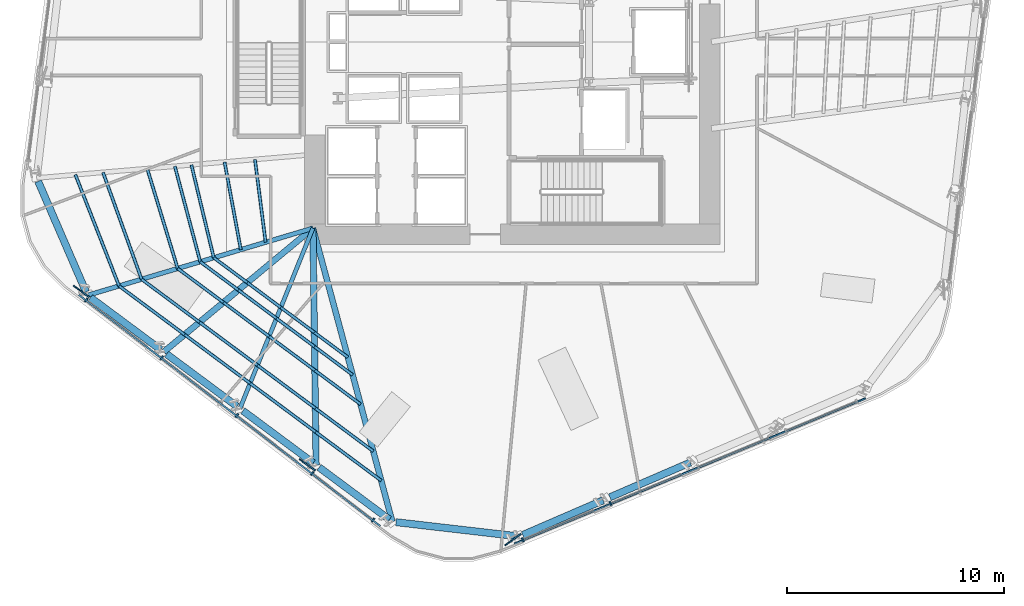
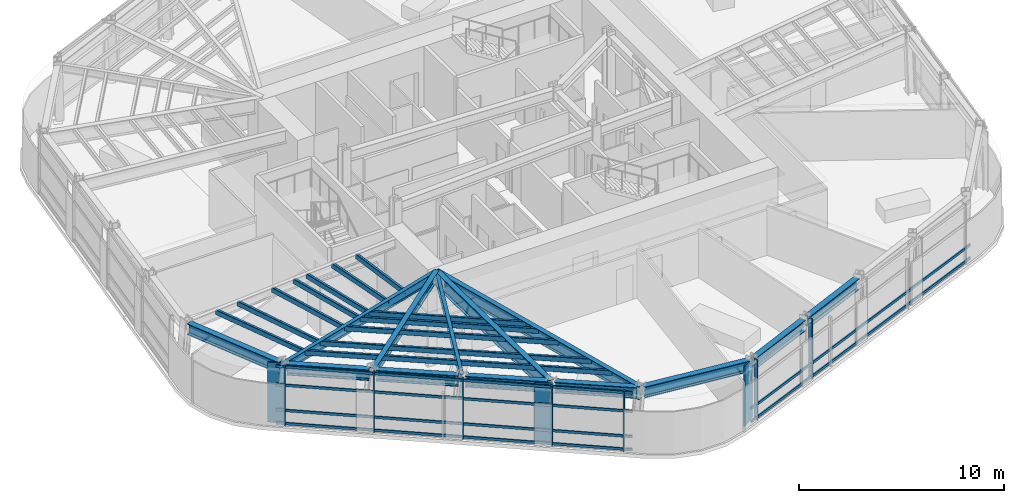
# One storey, part 2 of 18: 43 members, 13 beams, 2 elements without a shape of their own.
"""IFC4 building model written with IfcOpenShell, lengths in metres."""

from ifc_helpers import new_model, si_unit, direction, frame, origin, origin_2d, place, context, subcontext, project, spatial, rectangle, hollow_rectangle, i_section, extrude, material, layer, layer_set, material_profile, profile_set, type_object, element, aggregate, save


model = new_model("IFC4")

# Units and contexts
model_context = context("Model", 3, precision=1e-05, world=origin(), true_north=direction((0.0, 1.0)))
body_context = subcontext(model_context, "Body", "Model", "MODEL_VIEW")
ifc_project = project(units=[si_unit("LENGTHUNIT", "METRE"), si_unit("AREAUNIT", "SQUARE_METRE"), si_unit("VOLUMEUNIT", "CUBIC_METRE"), si_unit("PLANEANGLEUNIT", "RADIAN"), si_unit("MASSUNIT", "GRAM", prefix="KILO")], contexts=[model_context])

# Site, building, storey
site_placement = place(None, origin())
site = spatial("IfcSite", under=ifc_project, at=site_placement, CompositionType="ELEMENT")
building_placement = place(site_placement, origin())
building = spatial("IfcBuilding", under=site, at=building_placement, Name="Valkerne Bourse Tower", CompositionType="ELEMENT")
storey_placement = place(building_placement, frame((0.0, 0.0, 120.0)))
storey = spatial("IfcBuildingStorey", under=building, at=storey_placement, Name="L30", CompositionType="ELEMENT", Elevation=120.0)

# Beams
ifc_material_1 = material(Name="Steel ASTM A992", Category="steel")
ifc_material_profile_1 = material_profile(ifc_material_1, i_section(OverallWidth=0.1904296875, OverallDepth=0.457275390625, WebThickness=0.009033203125, FlangeThickness=0.014404296875, FilletRadius=0.01513671875, at=origin_2d()), Name="W18X50")
ifc_profile_set_1 = profile_set([ifc_material_profile_1], Name="Steel ASTM A992")
beam_type_1 = type_object("IfcBeamType", Name="BM-W18X50", PredefinedType="JOIST", material=ifc_profile_set_1)
beam_1_placement = place(storey_placement, frame((34.22705078125, 10.0703125, 3.351318359375), z_axis=(0.375340590658, 0.926886962366, 0.0), x_axis=(-0.926886962366, 0.375340590658, 0.0)))
element("IfcBeam", 1, at=beam_1_placement, inside=storey, type_object=beam_type_1, Name="L30 Radial Composite Floor Beam 17", PredefinedType="JOIST", context=body_context, shape_type="SweptSolid", body=[
    extrude(i_section(OverallWidth=0.1904296875, OverallDepth=0.457275390625, WebThickness=0.009033203125, FlangeThickness=0.014404296875, FilletRadius=0.01513671875, at=origin_2d()), origin(), (0.0, 0.0, 1.0), 8.986572265625),
])
ifc_material_profile_2 = material_profile(ifc_material_1, i_section(OverallWidth=0.279296875, OverallDepth=0.46240234375, WebThickness=0.0107421875, FlangeThickness=0.017333984375, FilletRadius=0.017822265625, at=origin_2d()), Name="W18X76")
ifc_profile_set_2 = profile_set([ifc_material_profile_2], Name="Steel ASTM A992")
beam_type_2 = type_object("IfcBeamType", Name="BM-W18X76", PredefinedType="BEAM", material=ifc_profile_set_2)
beam_2_placement = place(storey_placement, frame((30.708251953125, 12.68359375, 3.348876953125), z_axis=(0.769696523866, 0.638409947564, 0.0), x_axis=(-0.638409947564, 0.769696523866, 0.0)))
element("IfcBeam", 2, at=beam_2_placement, inside=storey, type_object=beam_type_2, Name="L30 Radial Composite Floor Beam 16", PredefinedType="BEAM", context=body_context, shape_type="SweptSolid", body=[
    extrude(i_section(OverallWidth=0.279296875, OverallDepth=0.46240234375, WebThickness=0.0107421875, FlangeThickness=0.017333984375, FilletRadius=0.017822265625, at=origin_2d()), origin(), (0.0, 0.0, 1.0), 8.953857421875),
])
ifc_material_profile_3 = material_profile(ifc_material_1, i_section(OverallWidth=0.209228515625, OverallDepth=0.533447265625, WebThickness=0.01025390625, FlangeThickness=0.015625, FilletRadius=0.017822265625, at=origin_2d()), Name="W21X62")
ifc_profile_set_3 = profile_set([ifc_material_profile_3], Name="Steel ASTM A992")
beam_type_3 = type_object("IfcBeamType", Name="BM-W21X62", PredefinedType="JOIST", material=ifc_profile_set_3)
beam_3_placement = place(storey_placement, frame((27.189453125, 15.296875, 3.313232421875), z_axis=(0.958335693485, 0.285644356836, 0.0), x_axis=(-0.285644356836, 0.958335693485, 0.0)))
element("IfcBeam", 3, at=beam_3_placement, inside=storey, type_object=beam_type_3, Name="L30 Radial Composite Floor Beam 15", PredefinedType="JOIST", context=body_context, shape_type="SweptSolid", body=[
    extrude(i_section(OverallWidth=0.209228515625, OverallDepth=0.533447265625, WebThickness=0.01025390625, FlangeThickness=0.015625, FilletRadius=0.017822265625, at=origin_2d()), origin(), (0.0, 0.0, 1.0), 10.86328125),
])
ifc_material_profile_4 = material_profile(ifc_material_1, i_section(OverallWidth=0.330078125, OverallDepth=0.647705078125, WebThickness=0.0205078125, FlangeThickness=0.037109375, FilletRadius=0.020263671875, at=origin_2d()), Name="W24X192")
ifc_profile_set_4 = profile_set([ifc_material_profile_4], Name="Steel ASTM A992")
beam_type_4 = type_object("IfcBeamType", Name="BM-W24X192", PredefinedType="SPANDREL", material=ifc_profile_set_4)
beam_4_placement = place(storey_placement, frame((24.912109375, 20.559814453125, 3.256103515625), z_axis=(0.397146895891, -0.917755056147, 0.0), x_axis=(0.917755056147, 0.397146895891, 0.0)))
element("IfcBeam", 4, at=beam_4_placement, inside=storey, type_object=beam_type_4, Name="L30 Hexagonal Spandrel Ring Beam 14", PredefinedType="SPANDREL", context=body_context, shape_type="SweptSolid", body=[
    extrude(i_section(OverallWidth=0.330078125, OverallDepth=0.647705078125, WebThickness=0.0205078125, FlangeThickness=0.037109375, FilletRadius=0.020263671875, at=origin_2d()), origin(), (0.0, 0.0, 1.0), 5.564697265625),
])
for number, where, z_axis, x_axis, name in (
    (5, (27.325927734375, 15.195556640625, 3.256103515625), (0.8028388171, -0.596196136986, 0.0), (0.596196136986, 0.8028388171, 0.0), "L30 Hexagonal Spandrel Ring Beam 15"),
    (6, (30.8447265625, 12.582275390625, 3.256103515625), (0.8028388171, -0.596196136986, 0.0), (0.596196136986, 0.8028388171, 0.0), "L30 Hexagonal Spandrel Ring Beam 16"),
):
    element("IfcBeam", number, at=place(storey_placement, frame(where, z_axis=z_axis, x_axis=x_axis)), inside=storey, type_object=beam_type_4, Name=name, PredefinedType="SPANDREL", context=body_context, shape_type="SweptSolid", body=[
        extrude(i_section(OverallWidth=0.330078125, OverallDepth=0.647705078125, WebThickness=0.0205078125, FlangeThickness=0.037109375, FilletRadius=0.020263671875, at=origin_2d()), origin(), (0.0, 0.0, 1.0), 4.04296875),
    ])
beam_5_placement = place(storey_placement, frame((34.363525390625, 9.968994140625, 3.256103515625), z_axis=(0.80281735116, -0.596225041974, 0.0), x_axis=(0.596225041974, 0.80281735116, 0.0)))
element("IfcBeam", 7, at=beam_5_placement, inside=storey, type_object=beam_type_4, Name="L30 Hexagonal Spandrel Ring Beam 17", PredefinedType="SPANDREL", context=body_context, shape_type="SweptSolid", body=[
    extrude(i_section(OverallWidth=0.330078125, OverallDepth=0.647705078125, WebThickness=0.0205078125, FlangeThickness=0.037109375, FilletRadius=0.020263671875, at=origin_2d()), origin(), (0.0, 0.0, 1.0), 4.042724609375),
])
beam_6_placement = place(storey_placement, frame((37.882080078125, 7.355712890625, 3.256103515625), z_axis=(0.8028388171, -0.596196136986, 0.0), x_axis=(0.596196136986, 0.8028388171, 0.0)))
element("IfcBeam", 8, at=beam_6_placement, inside=storey, type_object=beam_type_4, Name="L30 Hexagonal Spandrel Ring Beam 18", PredefinedType="SPANDREL", context=body_context, shape_type="SweptSolid", body=[
    extrude(i_section(OverallWidth=0.330078125, OverallDepth=0.647705078125, WebThickness=0.0205078125, FlangeThickness=0.037109375, FilletRadius=0.020263671875, at=origin_2d()), origin(), (0.0, 0.0, 1.0), 4.04296875),
])
beam_7_placement = place(storey_placement, frame((41.433349609375, 4.824462890625, 3.256103515625), z_axis=(0.993371027611, -0.114952170502, 0.0), x_axis=(0.114952170502, 0.993371027611, 0.0)))
element("IfcBeam", 9, at=beam_7_placement, inside=storey, type_object=beam_type_4, Name="L30 Hexagonal Spandrel Ring Beam 19", PredefinedType="SPANDREL", context=body_context, shape_type="SweptSolid", body=[
    extrude(i_section(OverallWidth=0.330078125, OverallDepth=0.647705078125, WebThickness=0.0205078125, FlangeThickness=0.037109375, FilletRadius=0.020263671875, at=origin_2d()), origin(), (0.0, 0.0, 1.0), 5.564453125),
])
for number, where, z_axis, x_axis, name in (
    (10, (47.285888671875, 4.23291015625, 3.256103515625), (0.917771394218, 0.397109138595, 0.0), (-0.397109138595, 0.917771394218, 0.0), "L30 Hexagonal Spandrel Ring Beam 20"),
    (11, (51.308349609375, 5.973388671875, 3.256103515625), (0.917749384733, 0.397160001539, 0.0), (-0.397160001539, 0.917749384733, 0.0), "L30 Hexagonal Spandrel Ring Beam 21"),
):
    element("IfcBeam", number, at=place(storey_placement, frame(where, z_axis=z_axis, x_axis=x_axis)), inside=storey, type_object=beam_type_4, Name=name, PredefinedType="SPANDREL", context=body_context, shape_type="SweptSolid", body=[
        extrude(i_section(OverallWidth=0.330078125, OverallDepth=0.647705078125, WebThickness=0.0205078125, FlangeThickness=0.037109375, FilletRadius=0.020263671875, at=origin_2d()), origin(), (0.0, 0.0, 1.0), 4.04296875),
    ])
ifc_material_profile_5 = material_profile(ifc_material_1, i_section(OverallWidth=0.26806640625, OverallDepth=0.76953125, WebThickness=0.015625, FlangeThickness=0.025390625, FilletRadius=0.025390625, at=origin_2d()), Name="W30X132")
ifc_profile_set_5 = profile_set([ifc_material_profile_5], Name="Steel ASTM A992")
beam_type_5 = type_object("IfcBeamType", Name="BM-W30X132", PredefinedType="BEAM", material=ifc_profile_set_5)
beam_8_placement = place(storey_placement, frame((41.264404296875, 4.843994140625, 3.1953125), z_axis=(-0.260945370894, 0.965353569118, 0.0), x_axis=(-0.965353569118, -0.260945370894, 0.0)))
element("IfcBeam", 12, at=beam_8_placement, inside=storey, type_object=beam_type_5, Name="L30 Radial Composite Floor Beam 19", PredefinedType="BEAM", context=body_context, shape_type="SweptSolid", body=[
    extrude(i_section(OverallWidth=0.26806640625, OverallDepth=0.76953125, WebThickness=0.015625, FlangeThickness=0.025390625, FilletRadius=0.025390625, at=origin_2d()), origin(), (0.0, 0.0, 1.0), 14.04248046875),
])
ifc_material_profile_6 = material_profile(ifc_material_1, i_section(OverallWidth=0.2919921875, OverallDepth=0.8583984375, WebThickness=0.01708984375, FlangeThickness=0.031005859375, FilletRadius=0.025390625, at=origin_2d()), Name="W33X169")
ifc_profile_set_6 = profile_set([ifc_material_profile_6], Name="Steel ASTM A992")
beam_type_6 = type_object("IfcBeamType", Name="BM-W33X169", PredefinedType="BEAM", material=ifc_profile_set_6)
beam_9_placement = place(storey_placement, frame((37.74560546875, 7.457275390625, 3.15087890625), z_axis=(-0.013296162845, 0.99991160212, 0.0), x_axis=(-0.99991160212, -0.013296162845, 0.0)))
element("IfcBeam", 13, at=beam_9_placement, inside=storey, type_object=beam_type_6, Name="L30 Radial Composite Floor Beam 18", PredefinedType="BEAM", context=body_context, shape_type="SweptSolid", body=[
    extrude(i_section(OverallWidth=0.2919921875, OverallDepth=0.8583984375, WebThickness=0.01708984375, FlangeThickness=0.031005859375, FilletRadius=0.025390625, at=origin_2d()), origin(), (0.0, 0.0, 1.0), 10.943603515625),
])

# Curtain wall, members
ifc_material_2 = material(Name="Aluminium AA 6063-T6", Category="aluminium")
ifc_layer = layer(ifc_material_2, 0.22998046875)
ifc_layer_set = layer_set([ifc_layer], Name="Aluminium AA 6063-T6")
curtain_wall_type = type_object("IfcCurtainWallType", Name="CW-02", PredefinedType="NOTDEFINED", material=ifc_layer_set)
curtain_wall_1_placement = place(storey_placement, origin())
curtain_wall_1 = element("IfcCurtainWall", 14, at=curtain_wall_1_placement, inside=storey, type_object=curtain_wall_type, Name="L30 Hexagonal Stick Curtain Wall Face 4", PredefinedType="NOTDEFINED")
ifc_material_profile_7 = material_profile(ifc_material_2, rectangle(XDim=0.074951171875, YDim=0.199951171875, at=origin_2d()), Name="CWM-75X200")
ifc_profile_set_7 = profile_set([ifc_material_profile_7], Name="Aluminium AA 6063-T6")
member_type_1 = type_object("IfcMemberType", Name="CW-MUL-220X75", PredefinedType="MULLION", material=ifc_profile_set_7)
member_1_placement = place(storey_placement, frame((27.13427734375, 15.0810546875, 0.0), z_axis=(0.0, 0.0, 1.0), x_axis=(0.793347764857, -0.608768694987, 0.0)))
member_1 = element("IfcMember", 15, at=member_1_placement, type_object=member_type_1, Name="CW-L30-F4 Jamb Mullion 00A", PredefinedType="MULLION", context=body_context, shape_type="SweptSolid", body=[
    extrude(rectangle(XDim=0.074951171875, YDim=0.199951171875, at=origin_2d()), origin(), (0.0, 0.0, 1.0), 3.580078125),
])
member_2_placement = place(storey_placement, frame((30.611572265625, 12.412841796875, 0.0), z_axis=(0.0, 0.0, 1.0), x_axis=(0.793356220117, -0.608757675929, 0.0)))
member_2 = element("IfcMember", 16, at=member_2_placement, type_object=member_type_1, Name="CW-L30-F4 Jamb Mullion 01A", PredefinedType="MULLION", context=body_context, shape_type="SweptSolid", body=[
    extrude(rectangle(XDim=0.074951171875, YDim=0.199951171875, at=origin_2d()), origin(), (0.0, 0.0, 1.0), 3.580078125),
])
member_3_placement = place(storey_placement, frame((34.0888671875, 9.74462890625, 0.0), z_axis=(0.0, 0.0, 1.0), x_axis=(0.793356220117, -0.608757675929, 0.0)))
member_3 = element("IfcMember", 17, at=member_3_placement, type_object=member_type_1, Name="CW-L30-F4 Jamb Mullion 02A", PredefinedType="MULLION", context=body_context, shape_type="SweptSolid", body=[
    extrude(rectangle(XDim=0.074951171875, YDim=0.199951171875, at=origin_2d()), origin(), (0.0, 0.0, 1.0), 3.580078125),
])
member_4_placement = place(storey_placement, frame((37.566162109375, 7.076416015625, 0.0), z_axis=(0.0, 0.0, 1.0), x_axis=(0.793347764857, -0.608768694987, 0.0)))
member_4 = element("IfcMember", 18, at=member_4_placement, type_object=member_type_1, Name="CW-L30-F4 Jamb Mullion 03A", PredefinedType="MULLION", context=body_context, shape_type="SweptSolid", body=[
    extrude(rectangle(XDim=0.074951171875, YDim=0.199951171875, at=origin_2d()), origin(), (0.0, 0.0, 1.0), 3.580078125),
])
member_5_placement = place(storey_placement, frame((40.376953125, 4.91943359375, 0.0), z_axis=(0.0, 0.0, 1.0), x_axis=(0.793347764857, -0.608768694987, 0.0)))
member_5 = element("IfcMember", 19, at=member_5_placement, type_object=member_type_1, Name="CW-L30-F4 Jamb Mullion 03B", PredefinedType="MULLION", context=body_context, shape_type="SweptSolid", body=[
    extrude(rectangle(XDim=0.074951171875, YDim=0.199951171875, at=origin_2d()), origin(), (0.0, 0.0, 1.0), 3.580078125),
])

curtain_wall_2_placement = place(storey_placement, origin())
curtain_wall_2 = element("IfcCurtainWall", 20, at=curtain_wall_2_placement, inside=storey, type_object=curtain_wall_type, Name="L30 Hexagonal Stick Curtain Wall Face 5", PredefinedType="NOTDEFINED")
member_6_placement = place(storey_placement, frame((47.289306640625, 4.009521484375, 0.0), z_axis=(0.0, 0.0, 1.0), x_axis=(0.923880855352, 0.382680238729, 0.0)))
member_6 = element("IfcMember", 21, at=member_6_placement, type_object=member_type_1, Name="CW-L30-F5 Jamb Mullion 00A", PredefinedType="MULLION", context=body_context, shape_type="SweptSolid", body=[
    extrude(rectangle(XDim=0.074951171875, YDim=0.199951171875, at=origin_2d()), origin(), (0.0, 0.0, 1.0), 3.580078125),
])
member_7_placement = place(storey_placement, frame((51.338623046875, 5.686767578125, 0.0), z_axis=(0.0, 0.0, 1.0), x_axis=(0.923877514085, 0.38268830524, 0.0)))
member_7 = element("IfcMember", 22, at=member_7_placement, type_object=member_type_1, Name="CW-L30-F5 Jamb Mullion 01A", PredefinedType="MULLION", context=body_context, shape_type="SweptSolid", body=[
    extrude(rectangle(XDim=0.074951171875, YDim=0.199951171875, at=origin_2d()), origin(), (0.0, 0.0, 1.0), 3.580078125),
])

# Member
ifc_material_profile_8 = material_profile(ifc_material_2, rectangle(XDim=0.074951171875, YDim=0.14990234375, at=origin_2d()), Name="CWT-75X150")
ifc_profile_set_8 = profile_set([ifc_material_profile_8], Name="Aluminium AA 6063-T6")
member_type_2 = type_object("IfcMemberType", Name="CW-TRN-180X65", PredefinedType="USERDEFINED", material=ifc_profile_set_8)
member_8_placement = place(storey_placement, frame((26.788818359375, 15.32080078125, 0.1201171875), z_axis=(0.79335437035, -0.608760086608, 0.0), x_axis=(0.608760086608, 0.79335437035, 0.0)))
member_8 = element("IfcMember", 23, at=member_8_placement, type_object=member_type_2, Name="CW-L30-F4 Continuous Face Transom 1", ObjectType="TRANSOM", PredefinedType="USERDEFINED", context=body_context, shape_type="SweptSolid", body=[
    extrude(rectangle(XDim=0.074951171875, YDim=0.14990234375, at=origin_2d()), origin(), (0.0, 0.0, 1.0), 17.5322265625),
])

member_9_placement = place(storey_placement, frame((26.788818359375, 15.32080078125, 0.89990234375), z_axis=(0.79335437035, -0.608760086608, 0.0), x_axis=(0.608760086608, 0.79335437035, 0.0)))
member_9 = element("IfcMember", 24, at=member_9_placement, type_object=member_type_2, Name="CW-L30-F4 Continuous Face Transom 2", ObjectType="TRANSOM", PredefinedType="USERDEFINED", context=body_context, shape_type="SweptSolid", body=[
    extrude(rectangle(XDim=0.074951171875, YDim=0.14990234375, at=origin_2d()), origin(), (0.0, 0.0, 1.0), 17.5322265625),
])

member_10_placement = place(storey_placement, frame((26.788818359375, 15.32080078125, 2.39990234375), z_axis=(0.79335437035, -0.608760086608, 0.0), x_axis=(0.608760086608, 0.79335437035, 0.0)))
member_10 = element("IfcMember", 25, at=member_10_placement, type_object=member_type_2, Name="CW-L30-F4 Continuous Face Transom 3", ObjectType="TRANSOM", PredefinedType="USERDEFINED", context=body_context, shape_type="SweptSolid", body=[
    extrude(rectangle(XDim=0.074951171875, YDim=0.14990234375, at=origin_2d()), origin(), (0.0, 0.0, 1.0), 17.5322265625),
])

member_11_placement = place(storey_placement, frame((26.788818359375, 15.32080078125, 3.5), z_axis=(0.79335437035, -0.608760086608, 0.0), x_axis=(0.608760086608, 0.79335437035, 0.0)))
member_11 = element("IfcMember", 26, at=member_11_placement, type_object=member_type_2, Name="CW-L30-F4 Continuous Face Transom 4", ObjectType="TRANSOM", PredefinedType="USERDEFINED", context=body_context, shape_type="SweptSolid", body=[
    extrude(rectangle(XDim=0.074951171875, YDim=0.14990234375, at=origin_2d()), origin(), (0.0, 0.0, 1.0), 17.5322265625),
])

aggregate(curtain_wall_1, [member_8, member_9, member_10, member_11, member_1, member_2, member_3, member_4, member_5])

member_12_placement = place(storey_placement, frame((46.908935546875, 3.830322265625, 0.1201171875), z_axis=(0.923879526582, 0.38268344668, 0.0), x_axis=(-0.38268344668, 0.923879526582, 0.0)))
member_12 = element("IfcMember", 27, at=member_12_placement, type_object=member_type_2, Name="CW-L30-F5 Continuous Face Transom 1", ObjectType="TRANSOM", PredefinedType="USERDEFINED", context=body_context, shape_type="SweptSolid", body=[
    extrude(rectangle(XDim=0.074951171875, YDim=0.14990234375, at=origin_2d()), origin(), (0.0, 0.0, 1.0), 17.531982421875),
])

member_13_placement = place(storey_placement, frame((46.908935546875, 3.830322265625, 0.89990234375), z_axis=(0.923879526582, 0.38268344668, 0.0), x_axis=(-0.38268344668, 0.923879526582, 0.0)))
member_13 = element("IfcMember", 28, at=member_13_placement, type_object=member_type_2, Name="CW-L30-F5 Continuous Face Transom 2", ObjectType="TRANSOM", PredefinedType="USERDEFINED", context=body_context, shape_type="SweptSolid", body=[
    extrude(rectangle(XDim=0.074951171875, YDim=0.14990234375, at=origin_2d()), origin(), (0.0, 0.0, 1.0), 17.531982421875),
])

aggregate(curtain_wall_2, [member_12, member_13, member_6, member_7])

# Members
ifc_material_3 = material(Name="Bronze Anodised Aluminium AA 6063-T6", Category="aluminium")
ifc_material_profile_9 = material_profile(ifc_material_3, rectangle(XDim=0.070068359375, YDim=0.89990234375, at=origin_2d()), Name="FIN-70X900")
ifc_profile_set_9 = profile_set([ifc_material_profile_9], Name="Bronze Anodised Aluminium AA 6063-T6")
member_type_3 = type_object("IfcMemberType", Name="FIN-SOLAR-900", PredefinedType="USERDEFINED", material=ifc_profile_set_9)
for number, where, z_axis, x_axis, name in (
    (29, (26.91064453125, 15.4794921875, 0.00390625), (0.0, 0.0, 1.0), (-0.583162504614, -0.812355521439, 0.0), "L30 Bronze Anodised Solar Fin F4-00"),
    (30, (37.342529296875, 7.474853515625, 0.00390625), (0.0, 0.0, 1.0), (-0.583162504614, -0.812355521439, 0.0), "L30 Bronze Anodised Solar Fin F4-03"),
    (31, (46.83251953125, 4.01513671875, 0.00390625), (0.0, 0.0, 1.0), (0.579766154546, -0.814782919582, 0.0), "L30 Bronze Anodised Solar Fin F5-00"),
):
    element("IfcMember", number, at=place(storey_placement, frame(where, z_axis=z_axis, x_axis=x_axis)), inside=storey, type_object=member_type_3, Name=name, ObjectType="SOLAR_FIN", PredefinedType="USERDEFINED", context=body_context, shape_type="SweptSolid", body=[
        extrude(rectangle(XDim=0.070068359375, YDim=0.89990234375, at=origin_2d()), origin(), (0.0, 0.0, 1.0), 3.572021484375),
    ])
ifc_material_4 = material(Name="Steel ASTM A500 Grade C", Category="steel")
ifc_material_profile_10 = material_profile(ifc_material_4, hollow_rectangle(XDim=0.14990234375, YDim=0.300048828125, WallThickness=0.012451171875, OuterFilletRadius=0.02490234375, at=origin_2d()), Name="HSS300X150X12.5")
ifc_profile_set_10 = profile_set([ifc_material_profile_10], Name="Steel ASTM A500 Grade C")
member_type_4 = type_object("IfcMemberType", Name="MBR-HSS300X150X12.5", PredefinedType="PURLIN", material=ifc_profile_set_10)
member_14_placement = place(storey_placement, frame((33.518310546875, 21.453125, 3.419921875), z_axis=(0.182314449406, -0.983240276605, 0.0), x_axis=(0.983240276605, 0.182314449406, 0.0)))
element("IfcMember", 32, at=member_14_placement, inside=storey, type_object=member_type_4, Name="L30 Secondary Composite Floor Purlin I-14", PredefinedType="PURLIN", context=body_context, shape_type="SweptSolid", body=[
    extrude(hollow_rectangle(XDim=0.14990234375, YDim=0.300048828125, WallThickness=0.012451171875, OuterFilletRadius=0.02490234375, at=origin_2d()), origin(), (0.0, 0.0, 1.0), 4.114990234375),
])
member_15_placement = place(storey_placement, frame((31.987548828125, 21.322998046875, 3.419921875), z_axis=(0.233917223773, -0.972256515752, 0.0), x_axis=(0.972256515752, 0.233917223773, 0.0)))
element("IfcMember", 33, at=member_15_placement, inside=storey, type_object=member_type_4, Name="L30 Secondary Composite Floor Purlin K-14", PredefinedType="PURLIN", context=body_context, shape_type="SweptSolid", body=[
    extrude(hollow_rectangle(XDim=0.14990234375, YDim=0.300048828125, WallThickness=0.012451171875, OuterFilletRadius=0.02490234375, at=origin_2d()), origin(), (0.0, 0.0, 1.0), 4.41064453125),
])
member_16_placement = place(storey_placement, frame((33.019287109375, 17.03466796875, 3.419921875), z_axis=(0.802816558091, -0.59622610984, 0.0), x_axis=(0.59622610984, 0.802816558091, 0.0)))
element("IfcMember", 34, at=member_16_placement, inside=storey, type_object=member_type_4, Name="L30 Secondary Composite Floor Purlin K-15", PredefinedType="PURLIN", context=body_context, shape_type="SweptSolid", body=[
    extrude(hollow_rectangle(XDim=0.14990234375, YDim=0.300048828125, WallThickness=0.012451171875, OuterFilletRadius=0.02490234375, at=origin_2d()), origin(), (0.0, 0.0, 1.0), 1.9287109375),
])
for number, where, z_axis, x_axis, name in (
    (35, (34.567626953125, 15.884765625, 3.419921875), (0.802877150812, -0.596144513272, 0.0), (0.596144513272, 0.802877150812, 0.0), "L30 Secondary Composite Floor Purlin K-16"),
    (36, (36.115966796875, 14.735107421875, 3.419921875), (0.802771551277, -0.596286706594, 0.0), (0.596286706594, 0.802771551277, 0.0), "L30 Secondary Composite Floor Purlin K-17"),
):
    element("IfcMember", number, at=place(storey_placement, frame(where, z_axis=z_axis, x_axis=x_axis)), inside=storey, type_object=member_type_4, Name=name, PredefinedType="PURLIN", context=body_context, shape_type="SweptSolid", body=[
        extrude(hollow_rectangle(XDim=0.14990234375, YDim=0.300048828125, WallThickness=0.012451171875, OuterFilletRadius=0.02490234375, at=origin_2d()), origin(), (0.0, 0.0, 1.0), 1.928466796875),
    ])
member_17_placement = place(storey_placement, frame((37.6640625, 13.585205078125, 3.419921875), z_axis=(0.802816558091, -0.59622610984, 0.0), x_axis=(0.59622610984, 0.802816558091, 0.0)))
element("IfcMember", 37, at=member_17_placement, inside=storey, type_object=member_type_4, Name="L30 Secondary Composite Floor Purlin K-18", PredefinedType="PURLIN", context=body_context, shape_type="SweptSolid", body=[
    extrude(hollow_rectangle(XDim=0.14990234375, YDim=0.300048828125, WallThickness=0.012451171875, OuterFilletRadius=0.02490234375, at=origin_2d()), origin(), (0.0, 0.0, 1.0), 1.9287109375),
])
member_18_placement = place(storey_placement, frame((31.222412109375, 21.258056640625, 3.419921875), z_axis=(0.256936581381, -0.966428265909, 0.0), x_axis=(0.966428265909, 0.256936581381, 0.0)))
element("IfcMember", 38, at=member_18_placement, inside=storey, type_object=member_type_4, Name="L30 Secondary Composite Floor Purlin M-14", PredefinedType="PURLIN", context=body_context, shape_type="SweptSolid", body=[
    extrude(hollow_rectangle(XDim=0.14990234375, YDim=0.300048828125, WallThickness=0.012451171875, OuterFilletRadius=0.02490234375, at=origin_2d()), origin(), (0.0, 0.0, 1.0), 4.562744140625),
])
member_19_placement = place(storey_placement, frame((32.394775390625, 16.848388671875, 3.419921875), z_axis=(0.802852025666, -0.596178349895, 0.0), x_axis=(0.596178349895, 0.802852025666, 0.0)))
element("IfcMember", 39, at=member_19_placement, inside=storey, type_object=member_type_4, Name="L30 Secondary Composite Floor Purlin M-15", PredefinedType="PURLIN", context=body_context, shape_type="SweptSolid", body=[
    extrude(hollow_rectangle(XDim=0.14990234375, YDim=0.300048828125, WallThickness=0.012451171875, OuterFilletRadius=0.02490234375, at=origin_2d()), origin(), (0.0, 0.0, 1.0), 2.19140625),
])
member_20_placement = place(storey_placement, frame((34.154052734375, 15.5419921875, 3.419921875), z_axis=(0.802784979928, -0.596268627384, 0.0), x_axis=(0.596268627384, 0.802784979928, 0.0)))
element("IfcMember", 40, at=member_20_placement, inside=storey, type_object=member_type_4, Name="L30 Secondary Composite Floor Purlin M-16", PredefinedType="PURLIN", context=body_context, shape_type="SweptSolid", body=[
    extrude(hollow_rectangle(XDim=0.14990234375, YDim=0.300048828125, WallThickness=0.012451171875, OuterFilletRadius=0.02490234375, at=origin_2d()), origin(), (0.0, 0.0, 1.0), 2.191650390625),
])
member_21_placement = place(storey_placement, frame((35.91357421875, 14.235107421875, 3.419921875), z_axis=(0.802852025666, -0.596178349895, 0.0), x_axis=(0.596178349895, 0.802852025666, 0.0)))
element("IfcMember", 41, at=member_21_placement, inside=storey, type_object=member_type_4, Name="L30 Secondary Composite Floor Purlin M-17", PredefinedType="PURLIN", context=body_context, shape_type="SweptSolid", body=[
    extrude(hollow_rectangle(XDim=0.14990234375, YDim=0.300048828125, WallThickness=0.012451171875, OuterFilletRadius=0.02490234375, at=origin_2d()), origin(), (0.0, 0.0, 1.0), 2.19140625),
])
member_22_placement = place(storey_placement, frame((37.6728515625, 12.9287109375, 3.419921875), z_axis=(0.802745371565, -0.596321950318, 0.0), x_axis=(0.596321950318, 0.802745371565, 0.0)))
element("IfcMember", 42, at=member_22_placement, inside=storey, type_object=member_type_4, Name="L30 Secondary Composite Floor Purlin M-18", PredefinedType="PURLIN", context=body_context, shape_type="SweptSolid", body=[
    extrude(hollow_rectangle(XDim=0.14990234375, YDim=0.300048828125, WallThickness=0.012451171875, OuterFilletRadius=0.02490234375, at=origin_2d()), origin(), (0.0, 0.0, 1.0), 2.191650390625),
])
member_23_placement = place(storey_placement, frame((27.90576171875, 20.97607421875, 3.419921875), z_axis=(0.339694776679, -0.940535729623, 0.0), x_axis=(0.940535729623, 0.339694776679, 0.0)))
element("IfcMember", 43, at=member_23_placement, inside=storey, type_object=member_type_4, Name="L30 Secondary Composite Floor Purlin O-14", PredefinedType="PURLIN", context=body_context, shape_type="SweptSolid", body=[
    extrude(hollow_rectangle(XDim=0.14990234375, YDim=0.300048828125, WallThickness=0.012451171875, OuterFilletRadius=0.02490234375, at=origin_2d()), origin(), (0.0, 0.0, 1.0), 5.24658203125),
])
for number, where, z_axis, x_axis, name in (
    (44, (29.68798828125, 16.04150390625, 3.419921875), (0.802858111086, -0.596170154791, 0.0), (0.596170154791, 0.802858111086, 0.0), "L30 Secondary Composite Floor Purlin O-15"),
    (45, (32.3623046875, 14.0556640625, 3.419921875), (0.802823029977, -0.596217395368, 0.0), (0.596217395368, 0.802823029977, 0.0), "L30 Secondary Composite Floor Purlin O-16"),
    (46, (35.03662109375, 12.069580078125, 3.419921875), (0.802796974759, -0.596252477829, 0.0), (0.596252477829, 0.802796974759, 0.0), "L30 Secondary Composite Floor Purlin O-17"),
    (47, (37.710693359375, 10.08349609375, 3.419921875), (0.802823029977, -0.596217395368, 0.0), (0.596217395368, 0.802823029977, 0.0), "L30 Secondary Composite Floor Purlin O-18"),
):
    element("IfcMember", number, at=place(storey_placement, frame(where, z_axis=z_axis, x_axis=x_axis)), inside=storey, type_object=member_type_4, Name=name, PredefinedType="PURLIN", context=body_context, shape_type="SweptSolid", body=[
        extrude(hollow_rectangle(XDim=0.14990234375, YDim=0.300048828125, WallThickness=0.012451171875, OuterFilletRadius=0.02490234375, at=origin_2d()), origin(), (0.0, 0.0, 1.0), 3.3310546875),
    ])
member_24_placement = place(storey_placement, frame((29.94677734375, 21.1494140625, 3.419921875), z_axis=(0.291832554713, -0.956469424503, 0.0), x_axis=(0.956469424503, 0.291832554713, 0.0)))
element("IfcMember", 48, at=member_24_placement, inside=storey, type_object=member_type_4, Name="L30 Secondary Composite Floor Purlin Z-14", PredefinedType="PURLIN", context=body_context, shape_type="SweptSolid", body=[
    extrude(hollow_rectangle(XDim=0.14990234375, YDim=0.300048828125, WallThickness=0.012451171875, OuterFilletRadius=0.02490234375, at=origin_2d()), origin(), (0.0, 0.0, 1.0), 4.8212890625),
])
member_25_placement = place(storey_placement, frame((31.353759765625, 16.5380859375, 3.419921875), z_axis=(0.802809873113, -0.596235111036, 0.0), x_axis=(0.596235111036, 0.802809873113, 0.0)))
element("IfcMember", 49, at=member_25_placement, inside=storey, type_object=member_type_4, Name="L30 Secondary Composite Floor Purlin Z-15", PredefinedType="PURLIN", context=body_context, shape_type="SweptSolid", body=[
    extrude(hollow_rectangle(XDim=0.14990234375, YDim=0.300048828125, WallThickness=0.012451171875, OuterFilletRadius=0.02490234375, at=origin_2d()), origin(), (0.0, 0.0, 1.0), 2.629638671875),
])
for number, where, z_axis, x_axis, name in (
    (50, (33.46484375, 14.97021484375, 3.419921875), (0.802798439295, -0.596250505966, 0.0), (0.596250505966, 0.802798439295, 0.0), "L30 Secondary Composite Floor Purlin Z-16"),
    (51, (35.576171875, 13.402099609375, 3.419921875), (0.802842874621, -0.596190673082, 0.0), (0.596190673082, 0.802842874621, 0.0), "L30 Secondary Composite Floor Purlin Z-17"),
):
    element("IfcMember", number, at=place(storey_placement, frame(where, z_axis=z_axis, x_axis=x_axis)), inside=storey, type_object=member_type_4, Name=name, PredefinedType="PURLIN", context=body_context, shape_type="SweptSolid", body=[
        extrude(hollow_rectangle(XDim=0.14990234375, YDim=0.300048828125, WallThickness=0.012451171875, OuterFilletRadius=0.02490234375, at=origin_2d()), origin(), (0.0, 0.0, 1.0), 2.6298828125),
    ])
member_26_placement = place(storey_placement, frame((37.6875, 11.834228515625, 3.419921875), z_axis=(0.802809873113, -0.596235111036, 0.0), x_axis=(0.596235111036, 0.802809873113, 0.0)))
element("IfcMember", 52, at=member_26_placement, inside=storey, type_object=member_type_4, Name="L30 Secondary Composite Floor Purlin Z-18", PredefinedType="PURLIN", context=body_context, shape_type="SweptSolid", body=[
    extrude(hollow_rectangle(XDim=0.14990234375, YDim=0.300048828125, WallThickness=0.012451171875, OuterFilletRadius=0.02490234375, at=origin_2d()), origin(), (0.0, 0.0, 1.0), 2.629638671875),
])
member_27_placement = place(storey_placement, frame((34.92138671875, 21.572265625, 3.419921875), z_axis=(0.127720184914, -0.991810241107, 0.0), x_axis=(0.991810241107, 0.127720184914, 0.0)))
element("IfcMember", 53, at=member_27_placement, inside=storey, type_object=member_type_4, Name="L30 Secondary Composite Floor Purlin S-14", PredefinedType="PURLIN", context=body_context, shape_type="SweptSolid", body=[
    extrude(hollow_rectangle(XDim=0.14990234375, YDim=0.300048828125, WallThickness=0.012451171875, OuterFilletRadius=0.02490234375, at=origin_2d()), origin(), (0.0, 0.0, 1.0), 3.85546875),
])
member_28_placement = place(storey_placement, frame((26.63037109375, 20.86767578125, 3.419921875), z_axis=(0.365448405174, -0.930831597635, 0.0), x_axis=(0.930831597635, 0.365448405174, 0.0)))
element("IfcMember", 54, at=member_28_placement, inside=storey, type_object=member_type_4, Name="L30 Secondary Composite Floor Purlin T-14", PredefinedType="PURLIN", context=body_context, shape_type="SweptSolid", body=[
    extrude(hollow_rectangle(XDim=0.14990234375, YDim=0.300048828125, WallThickness=0.012451171875, OuterFilletRadius=0.02490234375, at=origin_2d()), origin(), (0.0, 0.0, 1.0), 5.51806640625),
])
for number, where, z_axis, x_axis, name in (
    (55, (28.64697265625, 15.731201171875, 3.419921875), (0.802827997071, -0.596210706982, 0.0), (0.596210706982, 0.802827997071, 0.0), "L30 Secondary Composite Floor Purlin T-15"),
    (56, (31.673095703125, 13.48388671875, 3.419921875), (0.802827997071, -0.596210706982, 0.0), (0.596210706982, 0.802827997071, 0.0), "L30 Secondary Composite Floor Purlin T-16"),
    (57, (34.69921875, 11.236572265625, 3.419921875), (0.802827997071, -0.596210706982, 0.0), (0.596210706982, 0.802827997071, 0.0), "L30 Secondary Composite Floor Purlin T-17"),
):
    element("IfcMember", number, at=place(storey_placement, frame(where, z_axis=z_axis, x_axis=x_axis)), inside=storey, type_object=member_type_4, Name=name, PredefinedType="PURLIN", context=body_context, shape_type="SweptSolid", body=[
        extrude(hollow_rectangle(XDim=0.14990234375, YDim=0.300048828125, WallThickness=0.012451171875, OuterFilletRadius=0.02490234375, at=origin_2d()), origin(), (0.0, 0.0, 1.0), 3.769287109375),
    ])
member_29_placement = place(storey_placement, frame((37.725341796875, 8.9892578125, 3.419921875), z_axis=(0.802796994573, -0.596252451152, 0.0), x_axis=(0.596252451152, 0.802796994573, 0.0)))
element("IfcMember", 58, at=member_29_placement, inside=storey, type_object=member_type_4, Name="L30 Secondary Composite Floor Purlin T-18", PredefinedType="PURLIN", context=body_context, shape_type="SweptSolid", body=[
    extrude(hollow_rectangle(XDim=0.14990234375, YDim=0.300048828125, WallThickness=0.012451171875, OuterFilletRadius=0.02490234375, at=origin_2d()), origin(), (0.0, 0.0, 1.0), 3.76953125),
])

save(model, "model.ifc")
